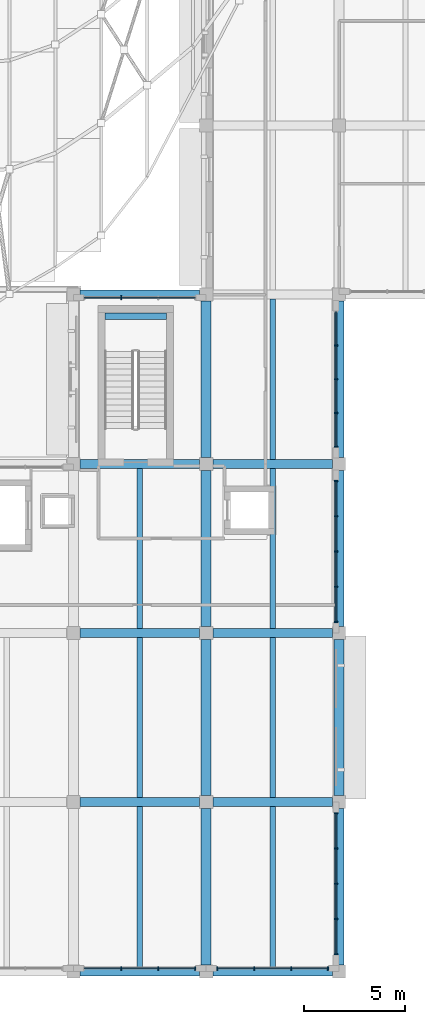
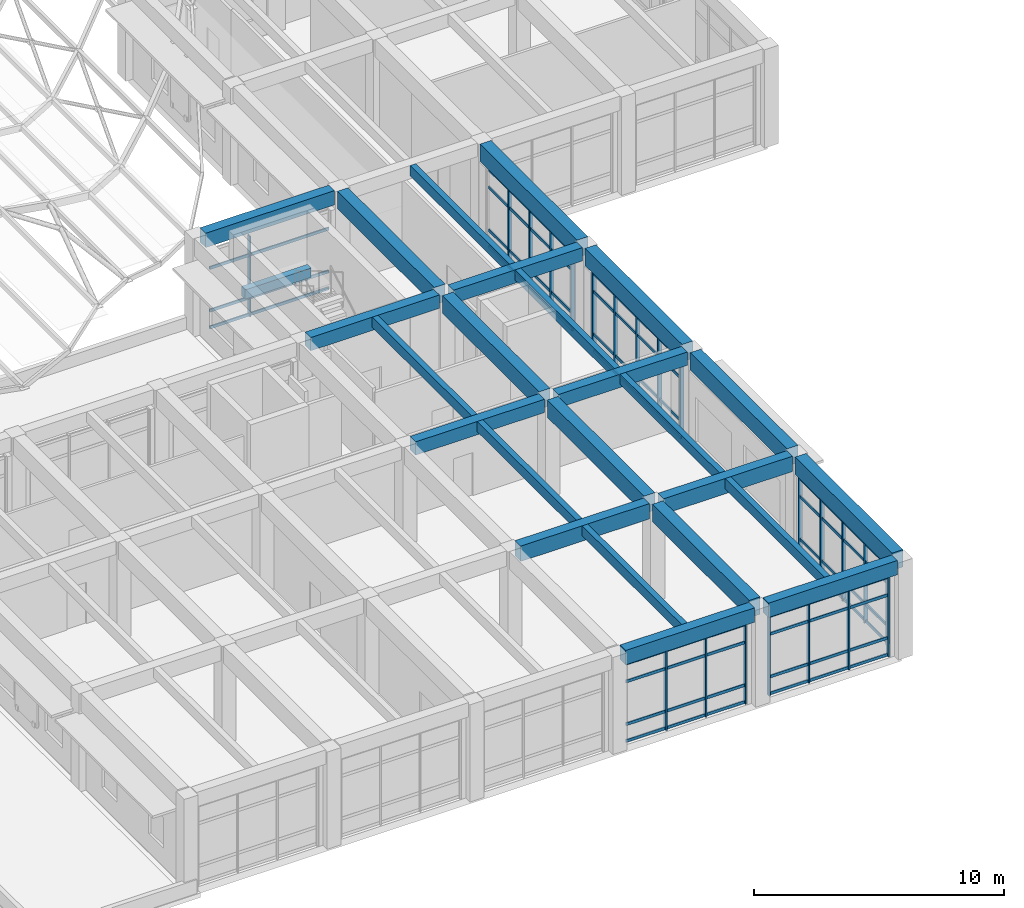
# One storey, part 25 of 79: 45 members, 25 beams, 6 elements without a shape of their own.
"""IFC4 building model written with IfcOpenShell, lengths in metres."""

from ifc_helpers import new_model, si_unit, direction, frame, origin, origin_2d, place, context, subcontext, project, spatial, rectangle, extrude, material, layer, layer_set, material_profile, profile_set, type_object, element, aggregate, save


model = new_model("IFC4")

# Units and contexts
model_context = context("Model", 3, precision=1e-05, world=origin(), true_north=direction((0.0, 1.0)))
body_context = subcontext(model_context, "Body", "Model", "MODEL_VIEW")
ifc_project = project(units=[si_unit("LENGTHUNIT", "METRE"), si_unit("AREAUNIT", "SQUARE_METRE"), si_unit("VOLUMEUNIT", "CUBIC_METRE"), si_unit("PLANEANGLEUNIT", "RADIAN"), si_unit("MASSUNIT", "GRAM", prefix="KILO")], contexts=[model_context])

# Site, building, storey
site_placement = place(None, origin())
site = spatial("IfcSite", under=ifc_project, at=site_placement, CompositionType="ELEMENT")
building_placement = place(site_placement, origin())
building = spatial("IfcBuilding", under=site, at=building_placement, Name="Kolvaren Faculty of Natural Sciences", CompositionType="ELEMENT")
storey_placement = place(building_placement, frame((0.0, 0.0, 10.199951171875)))
storey = spatial("IfcBuildingStorey", under=building, at=storey_placement, Name="L02", CompositionType="ELEMENT", Elevation=10.199951171875)

# Beam
ifc_material_1 = material(Name="Concrete C40/50", Category="concrete")
ifc_material_profile_1 = material_profile(ifc_material_1, rectangle(XDim=0.300048828125, YDim=0.449951171875, at=origin_2d()), Name="RC LNT 300x450")
ifc_profile_set_1 = profile_set([ifc_material_profile_1], Name="Concrete C40/50")
beam_type_1 = type_object("IfcBeamType", Name="CoreCouplingLintel_300x450", PredefinedType="LINTEL", material=ifc_profile_set_1)
beam_1_placement = place(storey_placement, frame((127.175048828125, 41.1298828125, 1.97509765625), z_axis=(1.0, 0.0, 0.0), x_axis=(0.0, 1.0, 0.0)))
element("IfcBeam", 1, at=beam_1_placement, inside=storey, type_object=beam_type_1, Name="L02 ST-3 half-landing support lintel", PredefinedType="LINTEL", context=body_context, shape_type="SweptSolid", body=[
    extrude(rectangle(XDim=0.300048828125, YDim=0.449951171875, at=origin_2d()), origin(), (0.0, 0.0, 1.0), 3.050048828125),
])

# Curtain wall, member
ifc_material_2 = material(Name="Thermally broken anodised aluminium framing", Category="aluminium")
ifc_layer_1 = layer(ifc_material_2, 0.179931640625)
ifc_layer_set_1 = layer_set([ifc_layer_1], Name="Thermally broken anodised aluminium framing")
curtain_wall_type_1 = type_object("IfcCurtainWallType", Name="CommonsCurtainWall_CW02", PredefinedType="NOTDEFINED", material=ifc_layer_set_1)
curtain_wall_1_placement = place(storey_placement, origin())
curtain_wall_1 = element("IfcCurtainWall", 2, at=curtain_wall_1_placement, inside=storey, type_object=curtain_wall_type_1, Name="L02 unitised curtain wall CW-02 (CW-L02-083)", PredefinedType="NOTDEFINED")
ifc_material_profile_2 = material_profile(ifc_material_2, rectangle(XDim=0.06005859375, YDim=0.179931640625, at=origin_2d()), Name="ALU MUL 60x180")
ifc_profile_set_2 = profile_set([ifc_material_profile_2], Name="Thermally broken anodised aluminium framing")
member_type_1 = type_object("IfcMemberType", Name="CurtainMullion_60x180", PredefinedType="MULLION", material=ifc_profile_set_2)
member_1_placement = place(storey_placement, frame((127.9833984375, 42.050048828125, 0.0), z_axis=(0.0, 0.0, 1.0), x_axis=(1.0, 0.0, 0.0)))
member_1 = element("IfcMember", 3, at=member_1_placement, type_object=member_type_1, Name="CW-L02-083 vertical mullion 2", PredefinedType="MULLION", context=body_context, shape_type="SweptSolid", body=[
    extrude(rectangle(XDim=0.06005859375, YDim=0.179931640625, at=origin_2d()), origin(), (0.0, 0.0, 1.0), 3.93505859375),
])

# Curtain wall, members
ifc_layer_2 = layer(ifc_material_2, 0.179931640625)
ifc_layer_set_2 = layer_set([ifc_layer_2], Name="Thermally broken anodised aluminium framing")
curtain_wall_type_2 = type_object("IfcCurtainWallType", Name="TowerNorthCurtainWall_CW03", PredefinedType="NOTDEFINED", material=ifc_layer_set_2)
curtain_wall_2_placement = place(storey_placement, origin())
curtain_wall_2 = element("IfcCurtainWall", 4, at=curtain_wall_2_placement, inside=storey, type_object=curtain_wall_type_2, Name="L02 unitised curtain wall CW-03 (CW-L02-108)", PredefinedType="NOTDEFINED")
member_2_placement = place(storey_placement, frame((138.64990234375, 39.675048828125, 0.0), z_axis=(0.0, 0.0, 1.0), x_axis=(0.0, -1.0, 0.0)))
member_2 = element("IfcMember", 5, at=member_2_placement, type_object=member_type_1, Name="CW-L02-108 vertical mullion 2", PredefinedType="MULLION", context=body_context, shape_type="SweptSolid", body=[
    extrude(rectangle(XDim=0.06005859375, YDim=0.179931640625, at=origin_2d()), origin(), (0.0, 0.0, 1.0), 3.93505859375),
])
member_3_placement = place(storey_placement, frame((138.64990234375, 38.0, 0.0), z_axis=(0.0, 0.0, 1.0), x_axis=(0.0, -1.0, 0.0)))
member_3 = element("IfcMember", 6, at=member_3_placement, type_object=member_type_1, Name="CW-L02-108 vertical mullion 3", PredefinedType="MULLION", context=body_context, shape_type="SweptSolid", body=[
    extrude(rectangle(XDim=0.06005859375, YDim=0.179931640625, at=origin_2d()), origin(), (0.0, 0.0, 1.0), 3.93505859375),
])
member_4_placement = place(storey_placement, frame((138.64990234375, 36.324951171875, 0.0), z_axis=(0.0, 0.0, 1.0), x_axis=(0.0, -1.0, 0.0)))
member_4 = element("IfcMember", 7, at=member_4_placement, type_object=member_type_1, Name="CW-L02-108 vertical mullion 4", PredefinedType="MULLION", context=body_context, shape_type="SweptSolid", body=[
    extrude(rectangle(XDim=0.06005859375, YDim=0.179931640625, at=origin_2d()), origin(), (0.0, 0.0, 1.0), 3.93505859375),
])
member_5_placement = place(storey_placement, frame((138.64990234375, 34.64990234375, 0.0), z_axis=(0.0, 0.0, 1.0), x_axis=(0.0, -1.0, 0.0)))
member_5 = element("IfcMember", 8, at=member_5_placement, type_object=member_type_1, Name="CW-L02-108 vertical mullion 5", PredefinedType="MULLION", context=body_context, shape_type="SweptSolid", body=[
    extrude(rectangle(XDim=0.06005859375, YDim=0.179931640625, at=origin_2d()), origin(), (0.0, 0.0, 1.0), 3.93505859375),
])

curtain_wall_3_placement = place(storey_placement, origin())
curtain_wall_3 = element("IfcCurtainWall", 9, at=curtain_wall_3_placement, inside=storey, type_object=curtain_wall_type_2, Name="L02 unitised curtain wall CW-03 (CW-L02-109)", PredefinedType="NOTDEFINED")
member_6_placement = place(storey_placement, frame((138.64990234375, 32.949951171875, 0.0), z_axis=(0.0, 0.0, 1.0), x_axis=(0.0, -1.0, 0.0)))
member_6 = element("IfcMember", 10, at=member_6_placement, type_object=member_type_1, Name="CW-L02-109 vertical mullion 1", PredefinedType="MULLION", context=body_context, shape_type="SweptSolid", body=[
    extrude(rectangle(XDim=0.06005859375, YDim=0.179931640625, at=origin_2d()), origin(), (0.0, 0.0, 1.0), 3.93505859375),
])
member_7_placement = place(storey_placement, frame((138.64990234375, 31.199951171875, 0.0), z_axis=(0.0, 0.0, 1.0), x_axis=(0.0, -1.0, 0.0)))
member_7 = element("IfcMember", 11, at=member_7_placement, type_object=member_type_1, Name="CW-L02-109 vertical mullion 2", PredefinedType="MULLION", context=body_context, shape_type="SweptSolid", body=[
    extrude(rectangle(XDim=0.06005859375, YDim=0.179931640625, at=origin_2d()), origin(), (0.0, 0.0, 1.0), 3.93505859375),
])
member_8_placement = place(storey_placement, frame((138.64990234375, 29.449951171875, 0.0), z_axis=(0.0, 0.0, 1.0), x_axis=(0.0, -1.0, 0.0)))
member_8 = element("IfcMember", 12, at=member_8_placement, type_object=member_type_1, Name="CW-L02-109 vertical mullion 3", PredefinedType="MULLION", context=body_context, shape_type="SweptSolid", body=[
    extrude(rectangle(XDim=0.06005859375, YDim=0.179931640625, at=origin_2d()), origin(), (0.0, 0.0, 1.0), 3.93505859375),
])
member_9_placement = place(storey_placement, frame((138.64990234375, 27.699951171875, 0.0), z_axis=(0.0, 0.0, 1.0), x_axis=(0.0, -1.0, 0.0)))
member_9 = element("IfcMember", 13, at=member_9_placement, type_object=member_type_1, Name="CW-L02-109 vertical mullion 4", PredefinedType="MULLION", context=body_context, shape_type="SweptSolid", body=[
    extrude(rectangle(XDim=0.06005859375, YDim=0.179931640625, at=origin_2d()), origin(), (0.0, 0.0, 1.0), 3.93505859375),
])
member_10_placement = place(storey_placement, frame((138.64990234375, 25.949951171875, 0.0), z_axis=(0.0, 0.0, 1.0), x_axis=(0.0, -1.0, 0.0)))
member_10 = element("IfcMember", 14, at=member_10_placement, type_object=member_type_1, Name="CW-L02-109 vertical mullion 5", PredefinedType="MULLION", context=body_context, shape_type="SweptSolid", body=[
    extrude(rectangle(XDim=0.06005859375, YDim=0.179931640625, at=origin_2d()), origin(), (0.0, 0.0, 1.0), 3.93505859375),
])

curtain_wall_4_placement = place(storey_placement, origin())
curtain_wall_4 = element("IfcCurtainWall", 15, at=curtain_wall_4_placement, inside=storey, type_object=curtain_wall_type_2, Name="L02 unitised curtain wall CW-03 (CW-L02-110)", PredefinedType="NOTDEFINED")
member_11_placement = place(storey_placement, frame((138.64990234375, 16.449951171875, 0.0), z_axis=(0.0, 0.0, 1.0), x_axis=(0.0, -1.0, 0.0)))
member_11 = element("IfcMember", 16, at=member_11_placement, type_object=member_type_1, Name="CW-L02-110 vertical mullion 1", PredefinedType="MULLION", context=body_context, shape_type="SweptSolid", body=[
    extrude(rectangle(XDim=0.06005859375, YDim=0.179931640625, at=origin_2d()), origin(), (0.0, 0.0, 1.0), 3.93505859375),
])
member_12_placement = place(storey_placement, frame((138.64990234375, 14.699951171875, 0.0), z_axis=(0.0, 0.0, 1.0), x_axis=(0.0, -1.0, 0.0)))
member_12 = element("IfcMember", 17, at=member_12_placement, type_object=member_type_1, Name="CW-L02-110 vertical mullion 2", PredefinedType="MULLION", context=body_context, shape_type="SweptSolid", body=[
    extrude(rectangle(XDim=0.06005859375, YDim=0.179931640625, at=origin_2d()), origin(), (0.0, 0.0, 1.0), 3.93505859375),
])
member_13_placement = place(storey_placement, frame((138.64990234375, 12.949951171875, 0.0), z_axis=(0.0, 0.0, 1.0), x_axis=(0.0, -1.0, 0.0)))
member_13 = element("IfcMember", 18, at=member_13_placement, type_object=member_type_1, Name="CW-L02-110 vertical mullion 3", PredefinedType="MULLION", context=body_context, shape_type="SweptSolid", body=[
    extrude(rectangle(XDim=0.06005859375, YDim=0.179931640625, at=origin_2d()), origin(), (0.0, 0.0, 1.0), 3.93505859375),
])
member_14_placement = place(storey_placement, frame((138.64990234375, 11.199951171875, 0.0), z_axis=(0.0, 0.0, 1.0), x_axis=(0.0, -1.0, 0.0)))
member_14 = element("IfcMember", 19, at=member_14_placement, type_object=member_type_1, Name="CW-L02-110 vertical mullion 4", PredefinedType="MULLION", context=body_context, shape_type="SweptSolid", body=[
    extrude(rectangle(XDim=0.06005859375, YDim=0.179931640625, at=origin_2d()), origin(), (0.0, 0.0, 1.0), 3.93505859375),
])
member_15_placement = place(storey_placement, frame((138.64990234375, 9.449951171875, 0.0), z_axis=(0.0, 0.0, 1.0), x_axis=(0.0, -1.0, 0.0)))
member_15 = element("IfcMember", 20, at=member_15_placement, type_object=member_type_1, Name="CW-L02-110 vertical mullion 5", PredefinedType="MULLION", context=body_context, shape_type="SweptSolid", body=[
    extrude(rectangle(XDim=0.06005859375, YDim=0.179931640625, at=origin_2d()), origin(), (0.0, 0.0, 1.0), 3.93505859375),
])

curtain_wall_5_placement = place(storey_placement, origin())
curtain_wall_5 = element("IfcCurtainWall", 21, at=curtain_wall_5_placement, inside=storey, type_object=curtain_wall_type_1, Name="L02 unitised curtain wall CW-02 (CW-L02-111)", PredefinedType="NOTDEFINED")
member_16_placement = place(storey_placement, frame((138.25, 8.75, 0.0), z_axis=(0.0, 0.0, 1.0), x_axis=(-1.0, 0.0, 0.0)))
member_16 = element("IfcMember", 22, at=member_16_placement, type_object=member_type_1, Name="CW-L02-111 vertical mullion 1", PredefinedType="MULLION", context=body_context, shape_type="SweptSolid", body=[
    extrude(rectangle(XDim=0.06005859375, YDim=0.179931640625, at=origin_2d()), origin(), (0.0, 0.0, 1.0), 3.93505859375),
])
member_17_placement = place(storey_placement, frame((136.416748046875, 8.75, 0.0), z_axis=(0.0, 0.0, 1.0), x_axis=(-1.0, 0.0, 0.0)))
member_17 = element("IfcMember", 23, at=member_17_placement, type_object=member_type_1, Name="CW-L02-111 vertical mullion 2", PredefinedType="MULLION", context=body_context, shape_type="SweptSolid", body=[
    extrude(rectangle(XDim=0.06005859375, YDim=0.179931640625, at=origin_2d()), origin(), (0.0, 0.0, 1.0), 3.93505859375),
])
member_18_placement = place(storey_placement, frame((134.583251953125, 8.75, 0.0), z_axis=(0.0, 0.0, 1.0), x_axis=(-1.0, 0.0, 0.0)))
member_18 = element("IfcMember", 24, at=member_18_placement, type_object=member_type_1, Name="CW-L02-111 vertical mullion 3", PredefinedType="MULLION", context=body_context, shape_type="SweptSolid", body=[
    extrude(rectangle(XDim=0.06005859375, YDim=0.179931640625, at=origin_2d()), origin(), (0.0, 0.0, 1.0), 3.93505859375),
])
member_19_placement = place(storey_placement, frame((132.75, 8.75, 0.0), z_axis=(0.0, 0.0, 1.0), x_axis=(-1.0, 0.0, 0.0)))
member_19 = element("IfcMember", 25, at=member_19_placement, type_object=member_type_1, Name="CW-L02-111 vertical mullion 4", PredefinedType="MULLION", context=body_context, shape_type="SweptSolid", body=[
    extrude(rectangle(XDim=0.06005859375, YDim=0.179931640625, at=origin_2d()), origin(), (0.0, 0.0, 1.0), 3.93505859375),
])

curtain_wall_6_placement = place(storey_placement, origin())
curtain_wall_6 = element("IfcCurtainWall", 26, at=curtain_wall_6_placement, inside=storey, type_object=curtain_wall_type_1, Name="L02 unitised curtain wall CW-02 (CW-L02-112)", PredefinedType="NOTDEFINED")
member_20_placement = place(storey_placement, frame((131.64990234375, 8.75, 0.0), z_axis=(0.0, 0.0, 1.0), x_axis=(-1.0, 0.0, 0.0)))
member_20 = element("IfcMember", 27, at=member_20_placement, type_object=member_type_1, Name="CW-L02-112 vertical mullion 1", PredefinedType="MULLION", context=body_context, shape_type="SweptSolid", body=[
    extrude(rectangle(XDim=0.06005859375, YDim=0.179931640625, at=origin_2d()), origin(), (0.0, 0.0, 1.0), 3.93505859375),
])
member_21_placement = place(storey_placement, frame((129.816650390625, 8.75, 0.0), z_axis=(0.0, 0.0, 1.0), x_axis=(-1.0, 0.0, 0.0)))
member_21 = element("IfcMember", 28, at=member_21_placement, type_object=member_type_1, Name="CW-L02-112 vertical mullion 2", PredefinedType="MULLION", context=body_context, shape_type="SweptSolid", body=[
    extrude(rectangle(XDim=0.06005859375, YDim=0.179931640625, at=origin_2d()), origin(), (0.0, 0.0, 1.0), 3.93505859375),
])
member_22_placement = place(storey_placement, frame((127.9833984375, 8.75, 0.0), z_axis=(0.0, 0.0, 1.0), x_axis=(-1.0, 0.0, 0.0)))
member_22 = element("IfcMember", 29, at=member_22_placement, type_object=member_type_1, Name="CW-L02-112 vertical mullion 3", PredefinedType="MULLION", context=body_context, shape_type="SweptSolid", body=[
    extrude(rectangle(XDim=0.06005859375, YDim=0.179931640625, at=origin_2d()), origin(), (0.0, 0.0, 1.0), 3.93505859375),
])

# Member
ifc_material_profile_3 = material_profile(ifc_material_2, rectangle(XDim=0.06005859375, YDim=0.139892578125, at=origin_2d()), Name="ALU TRN 60x140")
ifc_profile_set_3 = profile_set([ifc_material_profile_3], Name="Thermally broken anodised aluminium framing")
member_type_2 = type_object("IfcMemberType", Name="CurtainTransom_60x140", PredefinedType="USERDEFINED", material=ifc_profile_set_3)
member_23_placement = place(storey_placement, frame((126.14990234375, 42.050048828125, 0.080078125), z_axis=(1.0, 0.0, 0.0), x_axis=(0.0, 1.0, 0.0)))
member_23 = element("IfcMember", 30, at=member_23_placement, type_object=member_type_2, Name="CW-L02-083 horizontal transom 1", ObjectType="TRANSOM", PredefinedType="USERDEFINED", context=body_context, shape_type="SweptSolid", body=[
    extrude(rectangle(XDim=0.06005859375, YDim=0.139892578125, at=origin_2d()), origin(), (0.0, 0.0, 1.0), 5.5),
])

member_24_placement = place(storey_placement, frame((126.14990234375, 42.050048828125, 0.900146484375), z_axis=(1.0, 0.0, 0.0), x_axis=(0.0, 1.0, 0.0)))
member_24 = element("IfcMember", 31, at=member_24_placement, type_object=member_type_2, Name="CW-L02-083 horizontal transom 2", ObjectType="TRANSOM", PredefinedType="USERDEFINED", context=body_context, shape_type="SweptSolid", body=[
    extrude(rectangle(XDim=0.06005859375, YDim=0.139892578125, at=origin_2d()), origin(), (0.0, 0.0, 1.0), 5.5),
])

member_25_placement = place(storey_placement, frame((126.14990234375, 42.050048828125, 2.985107421875), z_axis=(1.0, 0.0, 0.0), x_axis=(0.0, 1.0, 0.0)))
member_25 = element("IfcMember", 32, at=member_25_placement, type_object=member_type_2, Name="CW-L02-083 horizontal transom 3", ObjectType="TRANSOM", PredefinedType="USERDEFINED", context=body_context, shape_type="SweptSolid", body=[
    extrude(rectangle(XDim=0.06005859375, YDim=0.139892578125, at=origin_2d()), origin(), (0.0, 0.0, 1.0), 5.5),
])

aggregate(curtain_wall_1, [member_1, member_23, member_24, member_25])

member_26_placement = place(storey_placement, frame((138.64990234375, 41.35009765625, 0.080078125), z_axis=(0.0, -1.0, 0.0), x_axis=(1.0, 0.0, 0.0)))
member_26 = element("IfcMember", 33, at=member_26_placement, type_object=member_type_2, Name="CW-L02-108 horizontal transom 1", ObjectType="TRANSOM", PredefinedType="USERDEFINED", context=body_context, shape_type="SweptSolid", body=[
    extrude(rectangle(XDim=0.06005859375, YDim=0.139892578125, at=origin_2d()), origin(), (0.0, 0.0, 1.0), 6.7001953125),
])

member_27_placement = place(storey_placement, frame((138.64990234375, 41.35009765625, 0.900146484375), z_axis=(0.0, -1.0, 0.0), x_axis=(1.0, 0.0, 0.0)))
member_27 = element("IfcMember", 34, at=member_27_placement, type_object=member_type_2, Name="CW-L02-108 horizontal transom 2", ObjectType="TRANSOM", PredefinedType="USERDEFINED", context=body_context, shape_type="SweptSolid", body=[
    extrude(rectangle(XDim=0.06005859375, YDim=0.139892578125, at=origin_2d()), origin(), (0.0, 0.0, 1.0), 6.7001953125),
])

member_28_placement = place(storey_placement, frame((138.64990234375, 41.35009765625, 2.985107421875), z_axis=(0.0, -1.0, 0.0), x_axis=(1.0, 0.0, 0.0)))
member_28 = element("IfcMember", 35, at=member_28_placement, type_object=member_type_2, Name="CW-L02-108 horizontal transom 3", ObjectType="TRANSOM", PredefinedType="USERDEFINED", context=body_context, shape_type="SweptSolid", body=[
    extrude(rectangle(XDim=0.06005859375, YDim=0.139892578125, at=origin_2d()), origin(), (0.0, 0.0, 1.0), 6.7001953125),
])

member_29_placement = place(storey_placement, frame((138.64990234375, 41.35009765625, 3.85498046875), z_axis=(0.0, -1.0, 0.0), x_axis=(1.0, 0.0, 0.0)))
member_29 = element("IfcMember", 36, at=member_29_placement, type_object=member_type_2, Name="CW-L02-108 horizontal transom 4", ObjectType="TRANSOM", PredefinedType="USERDEFINED", context=body_context, shape_type="SweptSolid", body=[
    extrude(rectangle(XDim=0.06005859375, YDim=0.139892578125, at=origin_2d()), origin(), (0.0, 0.0, 1.0), 6.7001953125),
])

aggregate(curtain_wall_2, [member_2, member_3, member_4, member_5, member_26, member_27, member_28, member_29])

member_30_placement = place(storey_placement, frame((138.64990234375, 32.949951171875, 0.080078125), z_axis=(0.0, -1.0, 0.0), x_axis=(1.0, 0.0, 0.0)))
member_30 = element("IfcMember", 37, at=member_30_placement, type_object=member_type_2, Name="CW-L02-109 horizontal transom 1", ObjectType="TRANSOM", PredefinedType="USERDEFINED", context=body_context, shape_type="SweptSolid", body=[
    extrude(rectangle(XDim=0.06005859375, YDim=0.139892578125, at=origin_2d()), origin(), (0.0, 0.0, 1.0), 7.0),
])

member_31_placement = place(storey_placement, frame((138.64990234375, 32.949951171875, 0.900146484375), z_axis=(0.0, -1.0, 0.0), x_axis=(1.0, 0.0, 0.0)))
member_31 = element("IfcMember", 38, at=member_31_placement, type_object=member_type_2, Name="CW-L02-109 horizontal transom 2", ObjectType="TRANSOM", PredefinedType="USERDEFINED", context=body_context, shape_type="SweptSolid", body=[
    extrude(rectangle(XDim=0.06005859375, YDim=0.139892578125, at=origin_2d()), origin(), (0.0, 0.0, 1.0), 7.0),
])

member_32_placement = place(storey_placement, frame((138.64990234375, 32.949951171875, 2.985107421875), z_axis=(0.0, -1.0, 0.0), x_axis=(1.0, 0.0, 0.0)))
member_32 = element("IfcMember", 39, at=member_32_placement, type_object=member_type_2, Name="CW-L02-109 horizontal transom 3", ObjectType="TRANSOM", PredefinedType="USERDEFINED", context=body_context, shape_type="SweptSolid", body=[
    extrude(rectangle(XDim=0.06005859375, YDim=0.139892578125, at=origin_2d()), origin(), (0.0, 0.0, 1.0), 7.0),
])

member_33_placement = place(storey_placement, frame((138.64990234375, 32.949951171875, 3.85498046875), z_axis=(0.0, -1.0, 0.0), x_axis=(1.0, 0.0, 0.0)))
member_33 = element("IfcMember", 40, at=member_33_placement, type_object=member_type_2, Name="CW-L02-109 horizontal transom 4", ObjectType="TRANSOM", PredefinedType="USERDEFINED", context=body_context, shape_type="SweptSolid", body=[
    extrude(rectangle(XDim=0.06005859375, YDim=0.139892578125, at=origin_2d()), origin(), (0.0, 0.0, 1.0), 7.0),
])

aggregate(curtain_wall_3, [member_6, member_7, member_8, member_9, member_10, member_30, member_31, member_32, member_33])

member_34_placement = place(storey_placement, frame((138.64990234375, 16.449951171875, 0.080078125), z_axis=(0.0, -1.0, 0.0), x_axis=(1.0, 0.0, 0.0)))
member_34 = element("IfcMember", 41, at=member_34_placement, type_object=member_type_2, Name="CW-L02-110 horizontal transom 1", ObjectType="TRANSOM", PredefinedType="USERDEFINED", context=body_context, shape_type="SweptSolid", body=[
    extrude(rectangle(XDim=0.06005859375, YDim=0.139892578125, at=origin_2d()), origin(), (0.0, 0.0, 1.0), 7.0),
])

member_35_placement = place(storey_placement, frame((138.64990234375, 16.449951171875, 0.900146484375), z_axis=(0.0, -1.0, 0.0), x_axis=(1.0, 0.0, 0.0)))
member_35 = element("IfcMember", 42, at=member_35_placement, type_object=member_type_2, Name="CW-L02-110 horizontal transom 2", ObjectType="TRANSOM", PredefinedType="USERDEFINED", context=body_context, shape_type="SweptSolid", body=[
    extrude(rectangle(XDim=0.06005859375, YDim=0.139892578125, at=origin_2d()), origin(), (0.0, 0.0, 1.0), 7.0),
])

member_36_placement = place(storey_placement, frame((138.64990234375, 16.449951171875, 2.985107421875), z_axis=(0.0, -1.0, 0.0), x_axis=(1.0, 0.0, 0.0)))
member_36 = element("IfcMember", 43, at=member_36_placement, type_object=member_type_2, Name="CW-L02-110 horizontal transom 3", ObjectType="TRANSOM", PredefinedType="USERDEFINED", context=body_context, shape_type="SweptSolid", body=[
    extrude(rectangle(XDim=0.06005859375, YDim=0.139892578125, at=origin_2d()), origin(), (0.0, 0.0, 1.0), 7.0),
])

member_37_placement = place(storey_placement, frame((138.64990234375, 16.449951171875, 3.85498046875), z_axis=(0.0, -1.0, 0.0), x_axis=(1.0, 0.0, 0.0)))
member_37 = element("IfcMember", 44, at=member_37_placement, type_object=member_type_2, Name="CW-L02-110 horizontal transom 4", ObjectType="TRANSOM", PredefinedType="USERDEFINED", context=body_context, shape_type="SweptSolid", body=[
    extrude(rectangle(XDim=0.06005859375, YDim=0.139892578125, at=origin_2d()), origin(), (0.0, 0.0, 1.0), 7.0),
])

aggregate(curtain_wall_4, [member_11, member_12, member_13, member_14, member_15, member_34, member_35, member_36, member_37])

member_38_placement = place(storey_placement, frame((138.25, 8.75, 0.080078125), z_axis=(-1.0, 0.0, 0.0), x_axis=(0.0, -1.0, 0.0)))
member_38 = element("IfcMember", 45, at=member_38_placement, type_object=member_type_2, Name="CW-L02-111 horizontal transom 1", ObjectType="TRANSOM", PredefinedType="USERDEFINED", context=body_context, shape_type="SweptSolid", body=[
    extrude(rectangle(XDim=0.06005859375, YDim=0.139892578125, at=origin_2d()), origin(), (0.0, 0.0, 1.0), 5.5),
])

member_39_placement = place(storey_placement, frame((138.25, 8.75, 0.900146484375), z_axis=(-1.0, 0.0, 0.0), x_axis=(0.0, -1.0, 0.0)))
member_39 = element("IfcMember", 46, at=member_39_placement, type_object=member_type_2, Name="CW-L02-111 horizontal transom 2", ObjectType="TRANSOM", PredefinedType="USERDEFINED", context=body_context, shape_type="SweptSolid", body=[
    extrude(rectangle(XDim=0.06005859375, YDim=0.139892578125, at=origin_2d()), origin(), (0.0, 0.0, 1.0), 5.5),
])

member_40_placement = place(storey_placement, frame((138.25, 8.75, 2.985107421875), z_axis=(-1.0, 0.0, 0.0), x_axis=(0.0, -1.0, 0.0)))
member_40 = element("IfcMember", 47, at=member_40_placement, type_object=member_type_2, Name="CW-L02-111 horizontal transom 3", ObjectType="TRANSOM", PredefinedType="USERDEFINED", context=body_context, shape_type="SweptSolid", body=[
    extrude(rectangle(XDim=0.06005859375, YDim=0.139892578125, at=origin_2d()), origin(), (0.0, 0.0, 1.0), 5.5),
])

member_41_placement = place(storey_placement, frame((138.25, 8.75, 3.85498046875), z_axis=(-1.0, 0.0, 0.0), x_axis=(0.0, -1.0, 0.0)))
member_41 = element("IfcMember", 48, at=member_41_placement, type_object=member_type_2, Name="CW-L02-111 horizontal transom 4", ObjectType="TRANSOM", PredefinedType="USERDEFINED", context=body_context, shape_type="SweptSolid", body=[
    extrude(rectangle(XDim=0.06005859375, YDim=0.139892578125, at=origin_2d()), origin(), (0.0, 0.0, 1.0), 5.5),
])

aggregate(curtain_wall_5, [member_16, member_17, member_18, member_19, member_38, member_39, member_40, member_41])

member_42_placement = place(storey_placement, frame((131.64990234375, 8.75, 0.080078125), z_axis=(-1.0, 0.0, 0.0), x_axis=(0.0, -1.0, 0.0)))
member_42 = element("IfcMember", 49, at=member_42_placement, type_object=member_type_2, Name="CW-L02-112 horizontal transom 1", ObjectType="TRANSOM", PredefinedType="USERDEFINED", context=body_context, shape_type="SweptSolid", body=[
    extrude(rectangle(XDim=0.06005859375, YDim=0.139892578125, at=origin_2d()), origin(), (0.0, 0.0, 1.0), 5.5),
])

member_43_placement = place(storey_placement, frame((131.64990234375, 8.75, 0.900146484375), z_axis=(-1.0, 0.0, 0.0), x_axis=(0.0, -1.0, 0.0)))
member_43 = element("IfcMember", 50, at=member_43_placement, type_object=member_type_2, Name="CW-L02-112 horizontal transom 2", ObjectType="TRANSOM", PredefinedType="USERDEFINED", context=body_context, shape_type="SweptSolid", body=[
    extrude(rectangle(XDim=0.06005859375, YDim=0.139892578125, at=origin_2d()), origin(), (0.0, 0.0, 1.0), 5.5),
])

member_44_placement = place(storey_placement, frame((131.64990234375, 8.75, 2.985107421875), z_axis=(-1.0, 0.0, 0.0), x_axis=(0.0, -1.0, 0.0)))
member_44 = element("IfcMember", 51, at=member_44_placement, type_object=member_type_2, Name="CW-L02-112 horizontal transom 3", ObjectType="TRANSOM", PredefinedType="USERDEFINED", context=body_context, shape_type="SweptSolid", body=[
    extrude(rectangle(XDim=0.06005859375, YDim=0.139892578125, at=origin_2d()), origin(), (0.0, 0.0, 1.0), 5.5),
])

member_45_placement = place(storey_placement, frame((131.64990234375, 8.75, 3.85498046875), z_axis=(-1.0, 0.0, 0.0), x_axis=(0.0, -1.0, 0.0)))
member_45 = element("IfcMember", 52, at=member_45_placement, type_object=member_type_2, Name="CW-L02-112 horizontal transom 4", ObjectType="TRANSOM", PredefinedType="USERDEFINED", context=body_context, shape_type="SweptSolid", body=[
    extrude(rectangle(XDim=0.06005859375, YDim=0.139892578125, at=origin_2d()), origin(), (0.0, 0.0, 1.0), 5.5),
])

aggregate(curtain_wall_6, [member_20, member_21, member_22, member_42, member_43, member_44, member_45])

# Beams
ifc_material_3 = material(Name="Concrete C35/45", Category="concrete")
ifc_material_profile_4 = material_profile(ifc_material_3, rectangle(XDim=0.449951171875, YDim=0.64990234375, at=origin_2d()), Name="RC BM 450x650")
ifc_profile_set_4 = profile_set([ifc_material_profile_4], Name="Concrete C35/45")
beam_type_2 = type_object("IfcBeamType", Name="GridBeam_450x650", PredefinedType="BEAM", material=ifc_profile_set_4)
beam_2_placement = place(storey_placement, frame((125.925048828125, 25.39990234375, 4.47509765625), z_axis=(1.0, 0.0, 0.0), x_axis=(0.0, 1.0, 0.0)))
element("IfcBeam", 53, at=beam_2_placement, inside=storey, type_object=beam_type_2, Name="L02 beam BM-65 on grid D", PredefinedType="BEAM", context=body_context, shape_type="SweptSolid", body=[
    extrude(rectangle(XDim=0.449951171875, YDim=0.64990234375, at=origin_2d()), origin(), (0.0, 0.0, 1.0), 5.949951171875),
])
beam_3_placement = place(storey_placement, frame((132.52490234375, 25.39990234375, 4.47509765625), z_axis=(1.0, 0.0, 0.0), x_axis=(0.0, 1.0, 0.0)))
element("IfcBeam", 54, at=beam_3_placement, inside=storey, type_object=beam_type_2, Name="L02 beam BM-65 on grid D", PredefinedType="BEAM", context=body_context, shape_type="SweptSolid", body=[
    extrude(rectangle(XDim=0.449951171875, YDim=0.64990234375, at=origin_2d()), origin(), (0.0, 0.0, 1.0), 5.9501953125),
])
beam_4_placement = place(storey_placement, frame((125.925048828125, 33.800048828125, 4.47509765625), z_axis=(1.0, 0.0, 0.0), x_axis=(0.0, 1.0, 0.0)))
element("IfcBeam", 55, at=beam_4_placement, inside=storey, type_object=beam_type_2, Name="L02 beam BM-65 on grid E", PredefinedType="BEAM", context=body_context, shape_type="SweptSolid", body=[
    extrude(rectangle(XDim=0.449951171875, YDim=0.64990234375, at=origin_2d()), origin(), (0.0, 0.0, 1.0), 5.949951171875),
])
beam_5_placement = place(storey_placement, frame((132.52490234375, 33.800048828125, 4.47509765625), z_axis=(1.0, 0.0, 0.0), x_axis=(0.0, 1.0, 0.0)))
element("IfcBeam", 56, at=beam_5_placement, inside=storey, type_object=beam_type_2, Name="L02 beam BM-65 on grid E", PredefinedType="BEAM", context=body_context, shape_type="SweptSolid", body=[
    extrude(rectangle(XDim=0.449951171875, YDim=0.64990234375, at=origin_2d()), origin(), (0.0, 0.0, 1.0), 5.9501953125),
])
ifc_material_profile_5 = material_profile(ifc_material_3, rectangle(XDim=0.260009765625, YDim=0.5, at=origin_2d()), Name="RC JST 260x500")
ifc_profile_set_5 = profile_set([ifc_material_profile_5], Name="Concrete C35/45")
beam_type_3 = type_object("IfcBeamType", Name="LabRibJoist_260x500", PredefinedType="JOIST", material=ifc_profile_set_5)
for number, where, z_axis, x_axis, name in (
    (57, (128.89990234375, 8.824951171875, 4.550048828125), (0.0, 1.0, 0.0), (-1.0, 0.0, 0.0), "L02 ribbed laboratory slab joist JS-50"),
    (58, (128.89990234375, 17.22509765625, 4.550048828125), (0.0, 1.0, 0.0), (-1.0, 0.0, 0.0), "L02 ribbed laboratory slab joist JS-50"),
    (59, (128.89990234375, 25.625, 4.550048828125), (0.0, 1.0, 0.0), (-1.0, 0.0, 0.0), "L02 ribbed laboratory slab joist JS-50"),
    (60, (135.5, 8.824951171875, 4.550048828125), (0.0, 1.0, 0.0), (-1.0, 0.0, 0.0), "L02 ribbed laboratory slab joist JS-50"),
    (61, (135.5, 17.22509765625, 4.550048828125), (0.0, 1.0, 0.0), (-1.0, 0.0, 0.0), "L02 ribbed laboratory slab joist JS-50"),
    (62, (135.5, 25.625, 4.550048828125), (0.0, 1.0, 0.0), (-1.0, 0.0, 0.0), "L02 ribbed laboratory slab joist JS-50"),
):
    element("IfcBeam", number, at=place(storey_placement, frame(where, z_axis=z_axis, x_axis=x_axis)), inside=storey, type_object=beam_type_3, Name=name, PredefinedType="JOIST", context=body_context, shape_type="SweptSolid", body=[
        extrude(rectangle(XDim=0.260009765625, YDim=0.5, at=origin_2d()), origin(), (0.0, 0.0, 1.0), 7.949951171875),
    ])
beam_6_placement = place(storey_placement, frame((135.5, 34.02490234375, 4.550048828125), z_axis=(0.0, 1.0, 0.0), x_axis=(-1.0, 0.0, 0.0)))
element("IfcBeam", 63, at=beam_6_placement, inside=storey, type_object=beam_type_3, Name="L02 ribbed laboratory slab joist JS-50", PredefinedType="JOIST", context=body_context, shape_type="SweptSolid", body=[
    extrude(rectangle(XDim=0.260009765625, YDim=0.5, at=origin_2d()), origin(), (0.0, 0.0, 1.0), 7.9501953125),
])
ifc_material_profile_6 = material_profile(ifc_material_3, rectangle(XDim=0.449951171875, YDim=0.699951171875, at=origin_2d()), Name="RC SP 450x700")
ifc_profile_set_6 = profile_set([ifc_material_profile_6], Name="Concrete C35/45")
beam_type_4 = type_object("IfcBeamType", Name="PerimeterSpandrel_450x700", PredefinedType="SPANDREL", material=ifc_profile_set_6)
beam_7_placement = place(storey_placement, frame((125.925048828125, 8.60009765625, 4.449951171875), z_axis=(1.0, 0.0, 0.0), x_axis=(0.0, 1.0, 0.0)))
element("IfcBeam", 64, at=beam_7_placement, inside=storey, type_object=beam_type_4, Name="L02 spandrel SP-70 on grid B", PredefinedType="SPANDREL", context=body_context, shape_type="SweptSolid", body=[
    extrude(rectangle(XDim=0.449951171875, YDim=0.699951171875, at=origin_2d()), origin(), (0.0, 0.0, 1.0), 5.949951171875),
])
beam_8_placement = place(storey_placement, frame((132.52490234375, 8.60009765625, 4.449951171875), z_axis=(1.0, 0.0, 0.0), x_axis=(0.0, 1.0, 0.0)))
element("IfcBeam", 65, at=beam_8_placement, inside=storey, type_object=beam_type_4, Name="L02 spandrel SP-70 on grid B", PredefinedType="SPANDREL", context=body_context, shape_type="SweptSolid", body=[
    extrude(rectangle(XDim=0.449951171875, YDim=0.699951171875, at=origin_2d()), origin(), (0.0, 0.0, 1.0), 5.9501953125),
])
beam_9_placement = place(storey_placement, frame((125.925048828125, 42.199951171875, 4.449951171875), z_axis=(1.0, 0.0, 0.0), x_axis=(0.0, 1.0, 0.0)))
element("IfcBeam", 66, at=beam_9_placement, inside=storey, type_object=beam_type_4, Name="L02 spandrel SP-70 on grid F", PredefinedType="SPANDREL", context=body_context, shape_type="SweptSolid", body=[
    extrude(rectangle(XDim=0.449951171875, YDim=0.699951171875, at=origin_2d()), origin(), (0.0, 0.0, 1.0), 5.949951171875),
])
ifc_material_profile_7 = material_profile(ifc_material_3, rectangle(XDim=0.449951171875, YDim=0.75, at=origin_2d()), Name="RC BM 450x750")
ifc_profile_set_7 = profile_set([ifc_material_profile_7], Name="Concrete C35/45")
beam_type_5 = type_object("IfcBeamType", Name="PrimaryGirder_450x750", PredefinedType="BEAM", material=ifc_profile_set_7)
beam_10_placement = place(storey_placement, frame((125.925048828125, 17.0, 4.425048828125), z_axis=(1.0, 0.0, 0.0), x_axis=(0.0, 1.0, 0.0)))
element("IfcBeam", 67, at=beam_10_placement, inside=storey, type_object=beam_type_5, Name="L02 beam BG-75 on grid C", PredefinedType="BEAM", context=body_context, shape_type="SweptSolid", body=[
    extrude(rectangle(XDim=0.449951171875, YDim=0.75, at=origin_2d()), origin(), (0.0, 0.0, 1.0), 5.949951171875),
])
beam_11_placement = place(storey_placement, frame((132.52490234375, 17.0, 4.425048828125), z_axis=(1.0, 0.0, 0.0), x_axis=(0.0, 1.0, 0.0)))
element("IfcBeam", 68, at=beam_11_placement, inside=storey, type_object=beam_type_5, Name="L02 beam BG-75 on grid C", PredefinedType="BEAM", context=body_context, shape_type="SweptSolid", body=[
    extrude(rectangle(XDim=0.449951171875, YDim=0.75, at=origin_2d()), origin(), (0.0, 0.0, 1.0), 5.9501953125),
])
ifc_material_profile_8 = material_profile(ifc_material_3, rectangle(XDim=0.5, YDim=0.85009765625, at=origin_2d()), Name="RC BM 500x850")
ifc_profile_set_8 = profile_set([ifc_material_profile_8], Name="Concrete C35/45")
beam_type_6 = type_object("IfcBeamType", Name="PrimaryGirder_500x850", PredefinedType="BEAM", material=ifc_profile_set_8)
for number, where, z_axis, x_axis, name in (
    (69, (132.199951171875, 8.925048828125, 4.375), (0.0, 1.0, 0.0), (-1.0, 0.0, 0.0), "L02 girder BG-85 on grid 21"),
    (70, (132.199951171875, 17.324951171875, 4.375), (0.0, 1.0, 0.0), (-1.0, 0.0, 0.0), "L02 girder BG-85 on grid 21"),
    (71, (132.199951171875, 25.72509765625, 4.375), (0.0, 1.0, 0.0), (-1.0, 0.0, 0.0), "L02 girder BG-85 on grid 21"),
    (72, (132.199951171875, 34.125, 4.375), (0.0, 1.0, 0.0), (-1.0, 0.0, 0.0), "L02 girder BG-85 on grid 21"),
    (73, (138.800048828125, 8.925048828125, 4.375), (0.0, 1.0, 0.0), (-1.0, 0.0, 0.0), "L02 girder BG-85 on grid 22"),
    (74, (138.800048828125, 17.324951171875, 4.375), (0.0, 1.0, 0.0), (-1.0, 0.0, 0.0), "L02 girder BG-85 on grid 22"),
    (75, (138.800048828125, 25.72509765625, 4.375), (0.0, 1.0, 0.0), (-1.0, 0.0, 0.0), "L02 girder BG-85 on grid 22"),
    (76, (138.800048828125, 34.125, 4.375), (0.0, 1.0, 0.0), (-1.0, 0.0, 0.0), "L02 girder BG-85 on grid 22"),
):
    element("IfcBeam", number, at=place(storey_placement, frame(where, z_axis=z_axis, x_axis=x_axis)), inside=storey, type_object=beam_type_6, Name=name, PredefinedType="BEAM", context=body_context, shape_type="SweptSolid", body=[
        extrude(rectangle(XDim=0.5, YDim=0.85009765625, at=origin_2d()), origin(), (0.0, 0.0, 1.0), 7.75),
    ])

save(model, "model.ifc")
